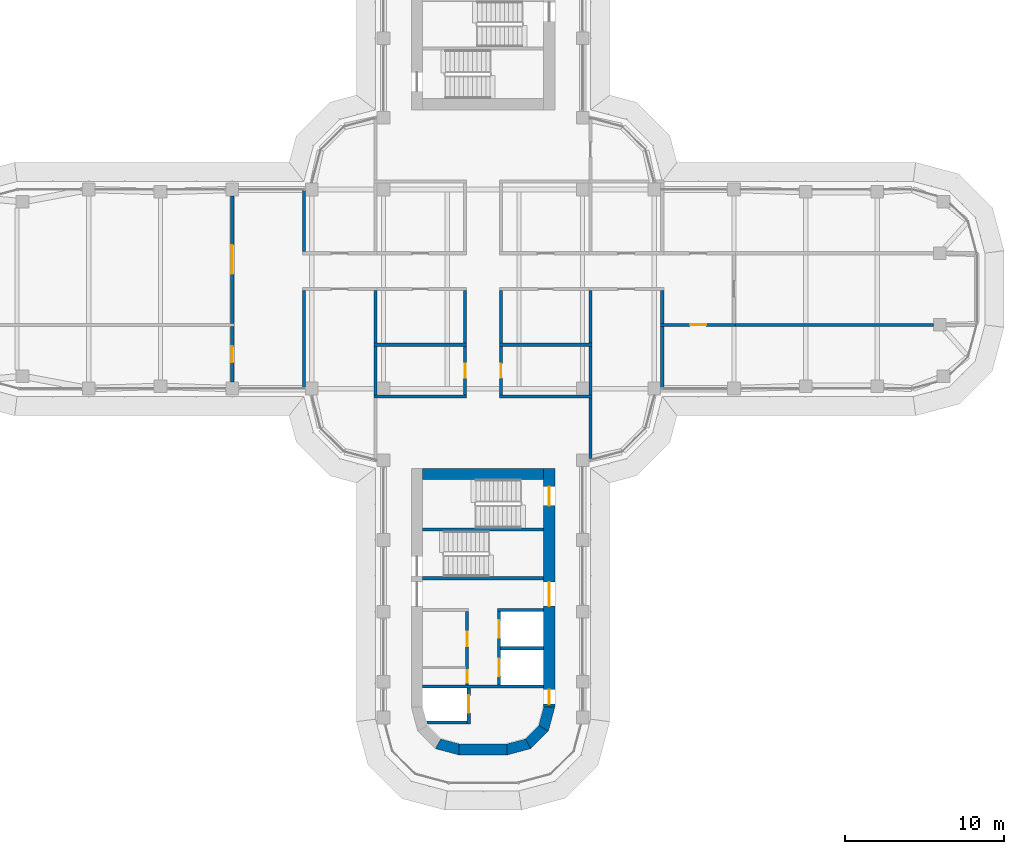
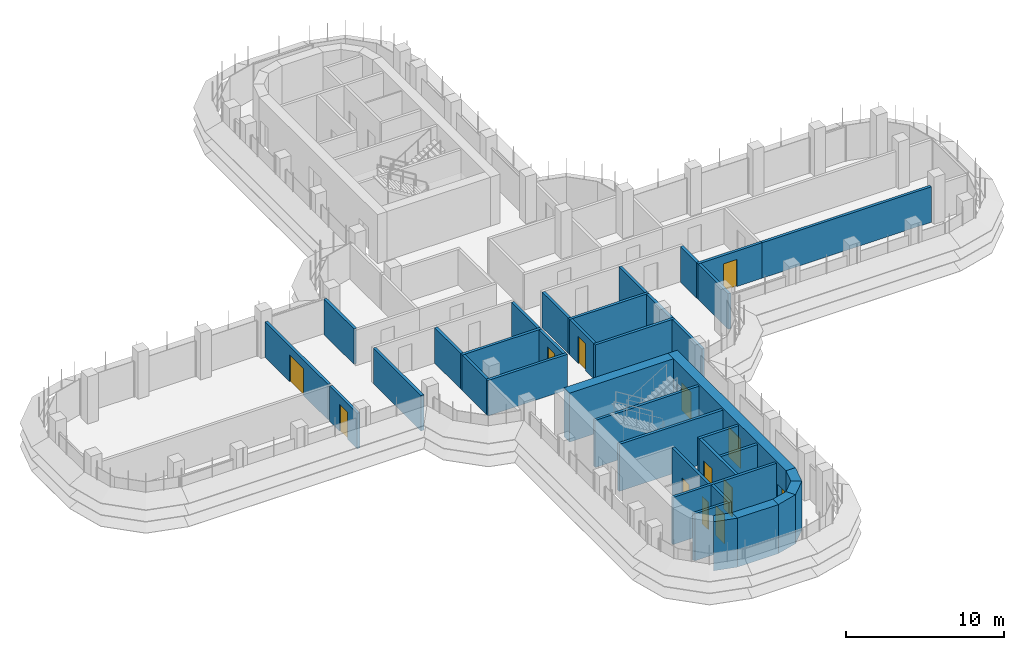
# One storey, part 13 of 19: 37 walls, 13 doors, 13 openings.
"""IFC4 building model written with IfcOpenShell, lengths in metres."""

from ifc_helpers import new_model, si_unit, direction, frame, frame_2d, origin, place, context, subcontext, project, spatial, polyline, rectangle, outline, extrude, material, layer, layer_set, type_object, element, fill, save


model = new_model("IFC4")

# Units and contexts
model_context = context("Model", 3, precision=1e-05, world=origin(), true_north=direction((0.0, 1.0)))
body_context = subcontext(model_context, "Body", "Model", "MODEL_VIEW")
ifc_project = project(units=[si_unit("LENGTHUNIT", "METRE"), si_unit("AREAUNIT", "SQUARE_METRE"), si_unit("VOLUMEUNIT", "CUBIC_METRE"), si_unit("PLANEANGLEUNIT", "RADIAN"), si_unit("MASSUNIT", "GRAM", prefix="KILO")], contexts=[model_context])

# Site, building, storey
site_placement = place(None, origin())
site = spatial("IfcSite", under=ifc_project, at=site_placement, CompositionType="ELEMENT")
building_placement = place(site_placement, origin())
building = spatial("IfcBuilding", under=site, at=building_placement, Name="Zarbagh Exchange Tower", CompositionType="ELEMENT")
storey_placement = place(building_placement, frame((0.0, 0.0, 179.0)))
storey = spatial("IfcBuildingStorey", under=building, at=storey_placement, Name="L43", CompositionType="ELEMENT", Elevation=179.0)

# Wall
ifc_material_1 = material(Name="Fire-rated plasterboard partition")
ifc_layer_1 = layer(ifc_material_1, 0.199951171875)
ifc_layer_set_1 = layer_set([ifc_layer_1], Name="RATED PARTITION 200")
wall_type_1 = type_object("IfcWallType", Name="RATED PARTITION 200", PredefinedType="PARTITIONING", material=ifc_layer_set_1)
wall_1_placement = place(storey_placement, frame((1.125, -3.39990234375, 0.0), z_axis=(0.0, 0.0, 1.0), x_axis=(0.0, 1.0, 0.0)))
element("IfcWall", 1, at=wall_1_placement, inside=storey, type_object=wall_type_1, Name="Partition W-1911", PredefinedType="PARTITIONING", context=body_context, shape_type="SweptSolid", body=[
    extrude(rectangle(XDim=3.2998046875, YDim=0.199951171875, at=frame_2d((1.64990234375, 0.0))), origin(), (0.0, 0.0, 1.0), 2.75),
])

# Wall, opening, door
wall_2_placement = place(storey_placement, frame((1.125, -3.60009765625, 0.0), z_axis=(0.0, 0.0, 1.0), x_axis=(0.0, -1.0, 0.0)))
wall_2 = element("IfcWall", 2, at=wall_2_placement, inside=storey, type_object=wall_type_1, Name="Partition W-1912", PredefinedType="PARTITIONING", context=body_context, shape_type="SweptSolid", body=[
    extrude(rectangle(XDim=3.0498046875, YDim=0.199951171875, at=frame_2d((1.52490234375, 0.0))), origin(), (0.0, 0.0, 1.0), 2.75),
])
opening_1_placement = place(wall_2_placement, frame((1.074951171875, 0.0, 0.0)))
opening_1 = element("IfcOpeningElement", 3, at=opening_1_placement, cuts=wall_2, Name="Opening D-1910", PredefinedType="OPENING", context=body_context, shape_type="SweptSolid", body=[
    extrude(rectangle(XDim=0.89990234375, YDim=2.10009765625, at=frame_2d((0.449951171875, 1.050048828125))), frame((0.0, 0.10986328125, 0.0), z_axis=(0.0, -1.0, 0.0), x_axis=(1.0, 0.0, 0.0)), (0.0, 0.0, 1.0), 0.219970703125),
])
ifc_material_2 = material(Name="Timber door leaf", Category="wood")
door_type_1 = type_object("IfcDoorType", Name="DOOR 900 X 2100", OperationType="NOTDEFINED", PredefinedType="DOOR", material=ifc_material_2)
door_1_placement = place(opening_1_placement, origin())
door_1 = element("IfcDoor", 4, at=door_1_placement, inside=storey, type_object=door_type_1, Name="Door D-1910", OperationType="SINGLE_SWING_LEFT", OverallHeight=2.10009765625, OverallWidth=0.89990234375, PredefinedType="DOOR", context=body_context, shape_type="SweptSolid", body=[
    extrude(rectangle(XDim=0.89990234375, YDim=2.10009765625, at=frame_2d((0.449951171875, 1.050048828125))), frame((0.0, 0.02490234375, 0.0), z_axis=(0.0, -1.0, 0.0), x_axis=(1.0, 0.0, 0.0)), (0.0, 0.0, 1.0), 0.050048828125),
])
fill(opening_1, door_1)

# Wall
wall_3_placement = place(storey_placement, frame((-1.125, -3.39990234375, 0.0), z_axis=(0.0, 0.0, 1.0), x_axis=(0.0, 1.0, 0.0)))
element("IfcWall", 5, at=wall_3_placement, inside=storey, type_object=wall_type_1, Name="Partition W-1913", PredefinedType="PARTITIONING", context=body_context, shape_type="SweptSolid", body=[
    extrude(rectangle(XDim=3.2998046875, YDim=0.199951171875, at=frame_2d((1.64990234375, 0.0))), origin(), (0.0, 0.0, 1.0), 2.75),
])

# Wall, opening, door
wall_4_placement = place(storey_placement, frame((-1.125, -6.64990234375, 0.0), z_axis=(0.0, 0.0, 1.0), x_axis=(0.0, 1.0, 0.0)))
wall_4 = element("IfcWall", 6, at=wall_4_placement, inside=storey, type_object=wall_type_1, Name="Partition W-1914", PredefinedType="PARTITIONING", context=body_context, shape_type="SweptSolid", body=[
    extrude(rectangle(XDim=3.0498046875, YDim=0.199951171875, at=frame_2d((1.52490234375, 0.0))), origin(), (0.0, 0.0, 1.0), 2.75),
])
opening_2_placement = place(wall_4_placement, frame((1.074951171875, 0.0, 0.0)))
opening_2 = element("IfcOpeningElement", 7, at=opening_2_placement, cuts=wall_4, Name="Opening D-1913", PredefinedType="OPENING", context=body_context, shape_type="SweptSolid", body=[
    extrude(rectangle(XDim=0.89990234375, YDim=2.10009765625, at=frame_2d((0.449951171875, 1.050048828125))), frame((0.0, 0.10986328125, 0.0), z_axis=(0.0, -1.0, 0.0), x_axis=(1.0, 0.0, 0.0)), (0.0, 0.0, 1.0), 0.219970703125),
])
door_2_placement = place(opening_2_placement, origin())
door_2 = element("IfcDoor", 8, at=door_2_placement, inside=storey, type_object=door_type_1, Name="Door D-1913", OperationType="SINGLE_SWING_RIGHT", OverallHeight=2.10009765625, OverallWidth=0.89990234375, PredefinedType="DOOR", context=body_context, shape_type="SweptSolid", body=[
    extrude(rectangle(XDim=0.89990234375, YDim=2.10009765625, at=frame_2d((0.449951171875, 1.050048828125))), frame((0.0, 0.02490234375, 0.0), z_axis=(0.0, -1.0, 0.0), x_axis=(1.0, 0.0, 0.0)), (0.0, 0.0, 1.0), 0.050048828125),
])
fill(opening_2, door_2)

# Walls
wall_5_placement = place(storey_placement, frame((1.02490234375, -6.75, 0.0), z_axis=(0.0, 0.0, 1.0), x_axis=(1.0, 0.0, 0.0)))
element("IfcWall", 9, at=wall_5_placement, inside=storey, type_object=wall_type_1, Name="Partition W-1919", PredefinedType="PARTITIONING", context=body_context, shape_type="SweptSolid", body=[
    extrude(rectangle(XDim=5.8251953125, YDim=0.199951171875, at=frame_2d((2.91259765625, 0.0))), origin(), (0.0, 0.0, 1.0), 2.75),
])
wall_6_placement = place(storey_placement, frame((6.75, -10.6298828125, 0.0), z_axis=(0.0, 0.0, 1.0), x_axis=(0.0, 1.0, 0.0)))
element("IfcWall", 10, at=wall_6_placement, inside=storey, type_object=wall_type_1, Name="Partition W-1920", PredefinedType="PARTITIONING", context=body_context, shape_type="SweptSolid", body=[
    extrude(rectangle(XDim=3.77978515625, YDim=0.199951171875, at=frame_2d((1.889892578125, 0.0))), origin(), (0.0, 0.0, 1.0), 2.75),
])
wall_7_placement = place(storey_placement, frame((-6.85009765625, -6.75, 0.0), z_axis=(0.0, 0.0, 1.0), x_axis=(1.0, 0.0, 0.0)))
element("IfcWall", 11, at=wall_7_placement, inside=storey, type_object=wall_type_1, Name="Partition W-1921", PredefinedType="PARTITIONING", context=body_context, shape_type="SweptSolid", body=[
    extrude(rectangle(XDim=5.8251953125, YDim=0.199951171875, at=frame_2d((2.91259765625, 0.0))), origin(), (0.0, 0.0, 1.0), 2.75),
])
wall_8_placement = place(storey_placement, frame((-11.25, 2.35009765625, 0.0), z_axis=(0.0, 0.0, 1.0), x_axis=(0.0, 1.0, 0.0)))
element("IfcWall", 12, at=wall_8_placement, inside=storey, type_object=wall_type_1, Name="Partition W-1927", PredefinedType="PARTITIONING", context=body_context, shape_type="SweptSolid", body=[
    extrude(rectangle(XDim=3.81982421875, YDim=0.199951171875, at=frame_2d((1.909912109375, 0.0))), origin(), (0.0, 0.0, 1.0), 2.75),
])
wall_9_placement = place(storey_placement, frame((1.02490234375, -3.5, 0.0), z_axis=(0.0, 0.0, 1.0), x_axis=(1.0, 0.0, 0.0)))
element("IfcWall", 13, at=wall_9_placement, inside=storey, type_object=wall_type_1, Name="Partition W-1928", PredefinedType="PARTITIONING", context=body_context, shape_type="SweptSolid", body=[
    extrude(rectangle(XDim=5.8251953125, YDim=0.199951171875, at=frame_2d((2.91259765625, 0.0))), origin(), (0.0, 0.0, 1.0), 2.75),
])
wall_10_placement = place(storey_placement, frame((6.75, -3.39990234375, 0.0), z_axis=(0.0, 0.0, 1.0), x_axis=(0.0, 1.0, 0.0)))
element("IfcWall", 14, at=wall_10_placement, inside=storey, type_object=wall_type_1, Name="Partition W-1929", PredefinedType="PARTITIONING", context=body_context, shape_type="SweptSolid", body=[
    extrude(rectangle(XDim=3.2998046875, YDim=0.199951171875, at=frame_2d((1.64990234375, 0.0))), origin(), (0.0, 0.0, 1.0), 2.75),
])
wall_11_placement = place(storey_placement, frame((6.75, -6.64990234375, 0.0), z_axis=(0.0, 0.0, 1.0), x_axis=(0.0, 1.0, 0.0)))
element("IfcWall", 15, at=wall_11_placement, inside=storey, type_object=wall_type_1, Name="Partition W-1930", PredefinedType="PARTITIONING", context=body_context, shape_type="SweptSolid", body=[
    extrude(rectangle(XDim=3.0498046875, YDim=0.199951171875, at=frame_2d((1.52490234375, 0.0))), origin(), (0.0, 0.0, 1.0), 2.75),
])
wall_12_placement = place(storey_placement, frame((11.25, -2.14990234375, 0.0), z_axis=(0.0, 0.0, 1.0), x_axis=(0.0, 1.0, 0.0)))
element("IfcWall", 16, at=wall_12_placement, inside=storey, type_object=wall_type_1, Name="Partition W-1931", PredefinedType="PARTITIONING", context=body_context, shape_type="SweptSolid", body=[
    extrude(rectangle(XDim=2.0498046875, YDim=0.199951171875, at=frame_2d((1.02490234375, 0.0))), origin(), (0.0, 0.0, 1.0), 2.75),
])
wall_13_placement = place(storey_placement, frame((11.25, -6.169921875, 0.0), z_axis=(0.0, 0.0, 1.0), x_axis=(0.0, 1.0, 0.0)))
element("IfcWall", 17, at=wall_13_placement, inside=storey, type_object=wall_type_1, Name="Partition W-1932", PredefinedType="PARTITIONING", context=body_context, shape_type="SweptSolid", body=[
    extrude(rectangle(XDim=3.81982421875, YDim=0.199951171875, at=frame_2d((1.909912109375, 0.0))), origin(), (0.0, 0.0, 1.0), 2.75),
])
wall_14_placement = place(storey_placement, frame((-6.85009765625, -3.5, 0.0), z_axis=(0.0, 0.0, 1.0), x_axis=(1.0, 0.0, 0.0)))
element("IfcWall", 18, at=wall_14_placement, inside=storey, type_object=wall_type_1, Name="Partition W-1933", PredefinedType="PARTITIONING", context=body_context, shape_type="SweptSolid", body=[
    extrude(rectangle(XDim=5.8251953125, YDim=0.199951171875, at=frame_2d((2.91259765625, 0.0))), origin(), (0.0, 0.0, 1.0), 2.75),
])
wall_15_placement = place(storey_placement, frame((-6.75, -3.39990234375, 0.0), z_axis=(0.0, 0.0, 1.0), x_axis=(0.0, 1.0, 0.0)))
element("IfcWall", 19, at=wall_15_placement, inside=storey, type_object=wall_type_1, Name="Partition W-1934", PredefinedType="PARTITIONING", context=body_context, shape_type="SweptSolid", body=[
    extrude(rectangle(XDim=3.2998046875, YDim=0.199951171875, at=frame_2d((1.64990234375, 0.0))), origin(), (0.0, 0.0, 1.0), 2.75),
])
wall_16_placement = place(storey_placement, frame((-6.75, -6.64990234375, 0.0), z_axis=(0.0, 0.0, 1.0), x_axis=(0.0, 1.0, 0.0)))
element("IfcWall", 20, at=wall_16_placement, inside=storey, type_object=wall_type_1, Name="Partition W-1935", PredefinedType="PARTITIONING", context=body_context, shape_type="SweptSolid", body=[
    extrude(rectangle(XDim=3.0498046875, YDim=0.199951171875, at=frame_2d((1.52490234375, 0.0))), origin(), (0.0, 0.0, 1.0), 2.75),
])
wall_17_placement = place(storey_placement, frame((-11.25, -6.169921875, 0.0), z_axis=(0.0, 0.0, 1.0), x_axis=(0.0, 1.0, 0.0)))
element("IfcWall", 21, at=wall_17_placement, inside=storey, type_object=wall_type_1, Name="Partition W-1936", PredefinedType="PARTITIONING", context=body_context, shape_type="SweptSolid", body=[
    extrude(rectangle(XDim=6.06982421875, YDim=0.199951171875, at=frame_2d((3.034912109375, 0.0))), origin(), (0.0, 0.0, 1.0), 2.75),
])

# Wall, opening, door
wall_18_placement = place(storey_placement, frame((15.85009765625, -2.25, 0.0), z_axis=(0.0, 0.0, 1.0), x_axis=(-1.0, 0.0, 0.0)))
wall_18 = element("IfcWall", 22, at=wall_18_placement, inside=storey, type_object=wall_type_1, Name="Partition W-1938", PredefinedType="PARTITIONING", context=body_context, shape_type="SweptSolid", body=[
    extrude(rectangle(XDim=4.7001953125, YDim=0.199951171875, at=frame_2d((2.35009765625, 0.0))), origin(), (0.0, 0.0, 1.0), 2.75),
])
opening_3_placement = place(wall_18_placement, frame((1.85009765625, 0.0, 0.0)))
opening_3 = element("IfcOpeningElement", 23, at=opening_3_placement, cuts=wall_18, Name="Opening D-1903", PredefinedType="OPENING", context=body_context, shape_type="SweptSolid", body=[
    extrude(rectangle(XDim=1.0, YDim=2.10009765625, at=frame_2d((0.5, 1.050048828125))), frame((0.0, 0.10986328125, 0.0), z_axis=(0.0, -1.0, 0.0), x_axis=(1.0, 0.0, 0.0)), (0.0, 0.0, 1.0), 0.219970703125),
])
ifc_material_3 = material(Name="Steel door set", Category="steel")
door_type_2 = type_object("IfcDoorType", Name="FIRE DOOR 1000 X 2100 FD30S", OperationType="NOTDEFINED", PredefinedType="DOOR", material=ifc_material_3)
door_3_placement = place(opening_3_placement, origin())
door_3 = element("IfcDoor", 24, at=door_3_placement, inside=storey, type_object=door_type_2, Name="Door D-1903", OperationType="SINGLE_SWING_RIGHT", OverallHeight=2.10009765625, OverallWidth=1.0, PredefinedType="DOOR", context=body_context, shape_type="SweptSolid", body=[
    extrude(rectangle(XDim=1.0, YDim=2.10009765625, at=frame_2d((0.5, 1.050048828125))), frame((0.0, 0.02490234375, 0.0), z_axis=(0.0, -1.0, 0.0), x_axis=(1.0, 0.0, 0.0)), (0.0, 0.0, 1.0), 0.050048828125),
])
fill(opening_3, door_3)

# Wall
wall_19_placement = place(storey_placement, frame((15.64990234375, -2.25, 0.0), z_axis=(0.0, 0.0, 1.0), x_axis=(1.0, 0.0, 0.0)))
element("IfcWall", 25, at=wall_19_placement, inside=storey, type_object=wall_type_1, Name="Partition W-1942", PredefinedType="PARTITIONING", context=body_context, shape_type="SweptSolid", body=[
    extrude(rectangle(XDim=12.6201171875, YDim=0.199951171875, at=frame_2d((6.31005859375, 0.0))), origin(), (0.0, 0.0, 1.0), 2.75),
])

# Wall, opening, door
wall_20_placement = place(storey_placement, frame((-15.75, -5.85009765625, 0.0), z_axis=(0.0, 0.0, 1.0), x_axis=(0.0, 1.0, 0.0)))
wall_20 = element("IfcWall", 26, at=wall_20_placement, inside=storey, type_object=wall_type_1, Name="Partition W-1944", PredefinedType="PARTITIONING", context=body_context, shape_type="SweptSolid", body=[
    extrude(rectangle(XDim=3.5, YDim=0.199951171875, at=frame_2d((1.75, 0.0))), origin(), (0.0, 0.0, 1.0), 2.75),
])
opening_4_placement = place(wall_20_placement, frame((1.25, 0.0, 0.0)))
opening_4 = element("IfcOpeningElement", 27, at=opening_4_placement, cuts=wall_20, Name="Opening D-1915", PredefinedType="OPENING", context=body_context, shape_type="SweptSolid", body=[
    extrude(rectangle(XDim=1.0, YDim=2.10009765625, at=frame_2d((0.5, 1.050048828125))), frame((0.0, 0.10986328125, 0.0), z_axis=(0.0, -1.0, 0.0), x_axis=(1.0, 0.0, 0.0)), (0.0, 0.0, 1.0), 0.219970703125),
])
door_4_placement = place(opening_4_placement, origin())
door_4 = element("IfcDoor", 28, at=door_4_placement, inside=storey, type_object=door_type_2, Name="Door D-1915", OperationType="SINGLE_SWING_RIGHT", OverallHeight=2.10009765625, OverallWidth=1.0, PredefinedType="DOOR", context=body_context, shape_type="SweptSolid", body=[
    extrude(rectangle(XDim=1.0, YDim=2.10009765625, at=frame_2d((0.5, 1.050048828125))), frame((0.0, 0.02490234375, 0.0), z_axis=(0.0, -1.0, 0.0), x_axis=(1.0, 0.0, 0.0)), (0.0, 0.0, 1.0), 0.050048828125),
])
fill(opening_4, door_4)

wall_21_placement = place(storey_placement, frame((-15.75, 5.85009765625, 0.0), z_axis=(0.0, 0.0, 1.0), x_axis=(0.0, -1.0, 0.0)))
wall_21 = element("IfcWall", 29, at=wall_21_placement, inside=storey, type_object=wall_type_1, Name="Partition W-1945", PredefinedType="PARTITIONING", context=body_context, shape_type="SweptSolid", body=[
    extrude(rectangle(XDim=8.0, YDim=0.199951171875, at=frame_2d((4.0, 0.0))), origin(), (0.0, 0.0, 1.0), 2.75),
])
opening_5_placement = place(wall_21_placement, frame((3.10009765625, 0.0, 0.0)))
opening_5 = element("IfcOpeningElement", 30, at=opening_5_placement, cuts=wall_21, Name="Opening D-1916", PredefinedType="OPENING", context=body_context, shape_type="SweptSolid", body=[
    extrude(rectangle(XDim=1.800048828125, YDim=2.10009765625, at=frame_2d((0.89990234375, 1.050048828125))), frame((0.0, 0.10986328125, 0.0), z_axis=(0.0, -1.0, 0.0), x_axis=(1.0, 0.0, 0.0)), (0.0, 0.0, 1.0), 0.219970703125),
])
door_type_3 = type_object("IfcDoorType", Name="FIRE DOUBLE DOOR 1800 X 2100 FD30S", OperationType="DOUBLE_DOOR_SINGLE_SWING", PredefinedType="DOOR", material=ifc_material_3)
door_5_placement = place(opening_5_placement, origin())
door_5 = element("IfcDoor", 31, at=door_5_placement, inside=storey, type_object=door_type_3, Name="Door D-1916", OperationType="DOUBLE_DOOR_SINGLE_SWING", OverallHeight=2.10009765625, OverallWidth=1.800048828125, PredefinedType="DOOR", context=body_context, shape_type="SweptSolid", body=[
    extrude(rectangle(XDim=1.800048828125, YDim=2.10009765625, at=frame_2d((0.89990234375, 1.050048828125))), frame((0.0, 0.02490234375, 0.0), z_axis=(0.0, -1.0, 0.0), x_axis=(1.0, 0.0, 0.0)), (0.0, 0.0, 1.0), 0.050048828125),
])
fill(opening_5, door_5)

# Walls
ifc_material_4 = material(Name="Concrete C50/60", Category="concrete")
ifc_layer_2 = layer(ifc_material_4, 0.699951171875)
ifc_layer_set_2 = layer_set([ifc_layer_2], Name="RC core corner wall 700 C50/60")
wall_type_2 = type_object("IfcWallType", Name="RC core corner wall 700 C50/60", PredefinedType="SHEAR", material=ifc_layer_set_2)
wall_22_placement = place(storey_placement, origin())
element("IfcWall", 32, at=wall_22_placement, inside=storey, type_object=wall_type_2, Name="CW6 core S corner W", PredefinedType="SHEAR", context=body_context, shape_type="SweptSolid", body=[
    extrude(outline(polyline([(-3.0, -28.84814453125), (-1.5, -29.25), (-1.5, -28.550048828125), (-2.64990234375, -28.241943359375), (-3.0, -28.84814453125)])), origin(), (0.0, 0.0, 1.0), 3.800048828125),
])
wall_23_placement = place(storey_placement, origin())
element("IfcWall", 33, at=wall_23_placement, inside=storey, type_object=wall_type_2, Name="CW6 core S corner E", PredefinedType="SHEAR", context=body_context, shape_type="SweptSolid", body=[
    extrude(outline(polyline([(4.5, -26.25), (4.09814453125, -27.75), (3.491943359375, -27.39990234375), (3.800048828125, -26.25), (4.5, -26.25)])), origin(), (0.0, 0.0, 1.0), 3.800048828125),
])
wall_24_placement = place(storey_placement, origin())
element("IfcWall", 34, at=wall_24_placement, inside=storey, type_object=wall_type_2, Name="CW6 core S corner E", PredefinedType="SHEAR", context=body_context, shape_type="SweptSolid", body=[
    extrude(outline(polyline([(4.09814453125, -27.75), (3.0, -28.84814453125), (2.64990234375, -28.241943359375), (3.491943359375, -27.39990234375), (4.09814453125, -27.75)])), origin(), (0.0, 0.0, 1.0), 3.800048828125),
])
wall_25_placement = place(storey_placement, origin())
element("IfcWall", 35, at=wall_25_placement, inside=storey, type_object=wall_type_2, Name="CW6 core S corner E", PredefinedType="SHEAR", context=body_context, shape_type="SweptSolid", body=[
    extrude(outline(polyline([(3.0, -28.84814453125), (1.5, -29.25), (1.5, -28.550048828125), (2.64990234375, -28.241943359375), (3.0, -28.84814453125)])), origin(), (0.0, 0.0, 1.0), 3.800048828125),
])

# Wall, openings, doors
ifc_layer_3 = layer(ifc_material_4, 0.699951171875)
ifc_layer_set_3 = layer_set([ifc_layer_3], Name="RC core wall 700 C50/60")
wall_type_3 = type_object("IfcWallType", Name="RC core wall 700 C50/60", PredefinedType="SHEAR", material=ifc_layer_set_3)
wall_26_placement = place(storey_placement, frame((4.14990234375, -11.25, 0.0), z_axis=(0.0, 0.0, 1.0), x_axis=(0.0, -1.0, 0.0)))
wall_26 = element("IfcWall", 36, at=wall_26_placement, inside=storey, type_object=wall_type_3, Name="CW5 core S E", PredefinedType="SHEAR", context=body_context, shape_type="SweptSolid", body=[
    extrude(rectangle(XDim=15.0, YDim=0.699951171875, at=frame_2d((7.5, 0.0))), origin(), (0.0, 0.0, 1.0), 3.800048828125),
])
opening_6_placement = place(wall_26_placement, frame((7.14990234375, 0.0, 0.0)))
opening_6 = element("IfcOpeningElement", 37, at=opening_6_placement, cuts=wall_26, Name="Opening CD1-1500", PredefinedType="OPENING", context=body_context, shape_type="SweptSolid", body=[
    extrude(rectangle(XDim=1.5, YDim=2.300048828125, at=frame_2d((0.75, 1.14990234375))), frame((0.0, 0.35986328125, 0.0), z_axis=(0.0, -1.0, 0.0), x_axis=(1.0, 0.0, 0.0)), (0.0, 0.0, 1.0), 0.719970703125),
])
opening_7_placement = place(wall_26_placement, frame((13.89990234375, 0.0, 0.0)))
opening_7 = element("IfcOpeningElement", 38, at=opening_7_placement, cuts=wall_26, Name="Opening CD2-900", PredefinedType="OPENING", context=body_context, shape_type="SweptSolid", body=[
    extrude(rectangle(XDim=0.89990234375, YDim=2.10009765625, at=frame_2d((0.449951171875, 1.050048828125))), frame((0.0, 0.35986328125, 0.0), z_axis=(0.0, -1.0, 0.0), x_axis=(1.0, 0.0, 0.0)), (0.0, 0.0, 1.0), 0.719970703125),
])
opening_8_placement = place(wall_26_placement, frame((1.14990234375, 0.0, 0.0)))
opening_8 = element("IfcOpeningElement", 39, at=opening_8_placement, cuts=wall_26, Name="Opening SD1-1200", PredefinedType="OPENING", context=body_context, shape_type="SweptSolid", body=[
    extrude(rectangle(XDim=1.199951171875, YDim=2.10009765625, at=frame_2d((0.60009765625, 1.050048828125))), frame((0.0, 0.35986328125, 0.0), z_axis=(0.0, -1.0, 0.0), x_axis=(1.0, 0.0, 0.0)), (0.0, 0.0, 1.0), 0.719970703125),
])
ifc_material_5 = material(Name="Steel", Category="steel")
door_type_4 = type_object("IfcDoorType", Name="Exit stair door 1200 x 2100", OperationType="NOTDEFINED", PredefinedType="DOOR", material=ifc_material_5)
door_6_placement = place(opening_8_placement, origin())
door_6 = element("IfcDoor", 40, at=door_6_placement, inside=storey, type_object=door_type_4, Name="South core stair door ST2", OperationType="SINGLE_SWING_LEFT", OverallHeight=2.10009765625, OverallWidth=1.199951171875, PredefinedType="DOOR", context=body_context, shape_type="SweptSolid", body=[
    extrude(rectangle(XDim=1.199951171875, YDim=2.10009765625, at=frame_2d((0.60009765625, 1.050048828125))), frame((0.0, 0.02490234375, 0.0), z_axis=(0.0, -1.0, 0.0), x_axis=(1.0, 0.0, 0.0)), (0.0, 0.0, 1.0), 0.050048828125),
])
fill(opening_8, door_6)
door_type_5 = type_object("IfcDoorType", Name="Firefighting lobby door 900 x 2100", OperationType="NOTDEFINED", PredefinedType="DOOR", material=ifc_material_5)
door_7_placement = place(opening_7_placement, origin())
door_7 = element("IfcDoor", 41, at=door_7_placement, inside=storey, type_object=door_type_5, Name="South core firefighting lobby door FF-W", OperationType="SINGLE_SWING_RIGHT", OverallHeight=2.10009765625, OverallWidth=0.89990234375, PredefinedType="DOOR", context=body_context, shape_type="SweptSolid", body=[
    extrude(rectangle(XDim=0.89990234375, YDim=2.10009765625, at=frame_2d((0.449951171875, 1.050048828125))), frame((0.0, 0.02490234375, 0.0), z_axis=(0.0, -1.0, 0.0), x_axis=(1.0, 0.0, 0.0)), (0.0, 0.0, 1.0), 0.050048828125),
])
fill(opening_7, door_7)
door_type_6 = type_object("IfcDoorType", Name="Lift lobby double door 1500 x 2300", OperationType="NOTDEFINED", PredefinedType="DOOR", material=ifc_material_5)
door_8_placement = place(opening_6_placement, origin())
door_8 = element("IfcDoor", 42, at=door_8_placement, inside=storey, type_object=door_type_6, Name="South core lift lobby door LOBBY-W", OperationType="DOUBLE_DOOR_SINGLE_SWING", OverallHeight=2.300048828125, OverallWidth=1.5, PredefinedType="DOOR", context=body_context, shape_type="SweptSolid", body=[
    extrude(rectangle(XDim=1.5, YDim=2.300048828125, at=frame_2d((0.75, 1.14990234375))), frame((0.0, 0.02490234375, 0.0), z_axis=(0.0, -1.0, 0.0), x_axis=(1.0, 0.0, 0.0)), (0.0, 0.0, 1.0), 0.050048828125),
])
fill(opening_6, door_8)

# Walls
wall_27_placement = place(storey_placement, frame((-3.800048828125, -11.60009765625, 0.0), z_axis=(0.0, 0.0, 1.0), x_axis=(1.0, 0.0, 0.0)))
element("IfcWall", 43, at=wall_27_placement, inside=storey, type_object=wall_type_3, Name="CW5 core S inner end", PredefinedType="SHEAR", context=body_context, shape_type="SweptSolid", body=[
    extrude(rectangle(XDim=7.60009765625, YDim=0.699951171875, at=frame_2d((3.800048828125, 0.0))), origin(), (0.0, 0.0, 1.0), 3.800048828125),
])
wall_28_placement = place(storey_placement, frame((-1.5, -28.89990234375, 0.0), z_axis=(0.0, 0.0, 1.0), x_axis=(1.0, 0.0, 0.0)))
element("IfcWall", 44, at=wall_28_placement, inside=storey, type_object=wall_type_3, Name="CW5 core S outer end", PredefinedType="SHEAR", context=body_context, shape_type="SweptSolid", body=[
    extrude(rectangle(XDim=3.0, YDim=0.699951171875, at=frame_2d((1.5, 0.0))), origin(), (0.0, 0.0, 1.0), 3.800048828125),
])
ifc_material_6 = material(Name="Dense blockwork", Category="masonry")
ifc_layer_4 = layer(ifc_material_6, 0.199951171875)
ifc_layer_set_4 = layer_set([ifc_layer_4], Name="Shaft wall 200 mm blockwork")
wall_type_4 = type_object("IfcWallType", Name="Shaft wall 200 mm blockwork", PredefinedType="PARTITIONING", material=ifc_layer_set_4)
wall_29_placement = place(storey_placement, frame((3.800048828125, -20.14990234375, 0.0), z_axis=(0.0, 0.0, 1.0), x_axis=(-1.0, 0.0, 0.0)))
element("IfcWall", 45, at=wall_29_placement, inside=storey, type_object=wall_type_4, Name="South core shaft wall AB-W", PredefinedType="PARTITIONING", context=body_context, shape_type="SweptSolid", body=[
    extrude(rectangle(XDim=2.900146484375, YDim=0.199951171875, at=frame_2d((1.4501953125, 0.0))), origin(), (0.0, 0.0, 1.0), 3.64990234375),
])

# Wall, openings, doors
wall_30_placement = place(storey_placement, frame((1.0, -24.85009765625, 0.0), z_axis=(0.0, 0.0, 1.0), x_axis=(0.0, 1.0, 0.0)))
wall_30 = element("IfcWall", 46, at=wall_30_placement, inside=storey, type_object=wall_type_4, Name="South core shaft wall LW-W", PredefinedType="PARTITIONING", context=body_context, shape_type="SweptSolid", body=[
    extrude(rectangle(XDim=4.60009765625, YDim=0.199951171875, at=frame_2d((2.300048828125, 0.0))), origin(), (0.0, 0.0, 1.0), 3.64990234375),
])
opening_9_placement = place(wall_30_placement, frame((0.550048828125, 0.0, 0.0)))
opening_9 = element("IfcOpeningElement", 47, at=opening_9_placement, cuts=wall_30, Name="Opening LD-1100", PredefinedType="OPENING", context=body_context, shape_type="SweptSolid", body=[
    extrude(rectangle(XDim=1.10009765625, YDim=2.300048828125, at=frame_2d((0.550048828125, 1.14990234375))), frame((0.0, 0.10986328125, 0.0), z_axis=(0.0, -1.0, 0.0), x_axis=(1.0, 0.0, 0.0)), (0.0, 0.0, 1.0), 0.219970703125),
])
opening_10_placement = place(wall_30_placement, frame((2.949951171875, 0.0, 0.0)))
opening_10 = element("IfcOpeningElement", 48, at=opening_10_placement, cuts=wall_30, Name="Opening LD-1100", PredefinedType="OPENING", context=body_context, shape_type="SweptSolid", body=[
    extrude(rectangle(XDim=1.10009765625, YDim=2.300048828125, at=frame_2d((0.550048828125, 1.14990234375))), frame((0.0, 0.10986328125, 0.0), z_axis=(0.0, -1.0, 0.0), x_axis=(1.0, 0.0, 0.0)), (0.0, 0.0, 1.0), 0.219970703125),
])
ifc_material_7 = material(Name="Stainless steel", Category="steel")
door_type_7 = type_object("IfcDoorType", Name="Lift landing door 1100 x 2300", OperationType="NOTDEFINED", PredefinedType="DOOR", material=ifc_material_7)
door_9_placement = place(opening_9_placement, origin())
door_9 = element("IfcDoor", 49, at=door_9_placement, inside=storey, type_object=door_type_7, Name="South core lift landing door LD-P-S1", OperationType="DOUBLE_DOOR_SLIDING", OverallHeight=2.300048828125, OverallWidth=1.10009765625, PredefinedType="DOOR", context=body_context, shape_type="SweptSolid", body=[
    extrude(rectangle(XDim=1.10009765625, YDim=2.300048828125, at=frame_2d((0.550048828125, 1.14990234375))), frame((0.0, 0.02490234375, 0.0), z_axis=(0.0, -1.0, 0.0), x_axis=(1.0, 0.0, 0.0)), (0.0, 0.0, 1.0), 0.050048828125),
])
fill(opening_9, door_9)
door_10_placement = place(opening_10_placement, origin())
door_10 = element("IfcDoor", 50, at=door_10_placement, inside=storey, type_object=door_type_7, Name="South core lift landing door LD-P-S2", OperationType="DOUBLE_DOOR_SLIDING", OverallHeight=2.300048828125, OverallWidth=1.10009765625, PredefinedType="DOOR", context=body_context, shape_type="SweptSolid", body=[
    extrude(rectangle(XDim=1.10009765625, YDim=2.300048828125, at=frame_2d((0.550048828125, 1.14990234375))), frame((0.0, 0.02490234375, 0.0), z_axis=(0.0, -1.0, 0.0), x_axis=(1.0, 0.0, 0.0)), (0.0, 0.0, 1.0), 0.050048828125),
])
fill(opening_10, door_10)

wall_31_placement = place(storey_placement, frame((-1.0, -24.85009765625, 0.0), z_axis=(0.0, 0.0, 1.0), x_axis=(0.0, 1.0, 0.0)))
wall_31 = element("IfcWall", 51, at=wall_31_placement, inside=storey, type_object=wall_type_4, Name="South core shaft wall LW-E", PredefinedType="PARTITIONING", context=body_context, shape_type="SweptSolid", body=[
    extrude(rectangle(XDim=4.60009765625, YDim=0.199951171875, at=frame_2d((2.300048828125, 0.0))), origin(), (0.0, 0.0, 1.0), 3.64990234375),
])
opening_11_placement = place(wall_31_placement, frame((0.125, 0.0, 0.0)))
opening_11 = element("IfcOpeningElement", 52, at=opening_11_placement, cuts=wall_31, Name="Opening CD3-800", PredefinedType="OPENING", context=body_context, shape_type="SweptSolid", body=[
    extrude(rectangle(XDim=0.800048828125, YDim=2.10009765625, at=frame_2d((0.39990234375, 1.050048828125))), frame((0.0, 0.10986328125, 0.0), z_axis=(0.0, -1.0, 0.0), x_axis=(1.0, 0.0, 0.0)), (0.0, 0.0, 1.0), 0.219970703125),
])
opening_12_placement = place(wall_31_placement, frame((2.425048828125, 0.0, 0.0)))
opening_12 = element("IfcOpeningElement", 53, at=opening_12_placement, cuts=wall_31, Name="Opening CD3-900", PredefinedType="OPENING", context=body_context, shape_type="SweptSolid", body=[
    extrude(rectangle(XDim=0.89990234375, YDim=2.10009765625, at=frame_2d((0.449951171875, 1.050048828125))), frame((0.0, 0.10986328125, 0.0), z_axis=(0.0, -1.0, 0.0), x_axis=(1.0, 0.0, 0.0)), (0.0, 0.0, 1.0), 0.219970703125),
])
door_type_8 = type_object("IfcDoorType", Name="Core room door 800 x 2100", OperationType="NOTDEFINED", PredefinedType="DOOR", material=ifc_material_5)
door_11_placement = place(opening_11_placement, origin())
door_11 = element("IfcDoor", 54, at=door_11_placement, inside=storey, type_object=door_type_8, Name="South core Store door RD-E-0", OperationType="SINGLE_SWING_RIGHT", OverallHeight=2.10009765625, OverallWidth=0.800048828125, PredefinedType="DOOR", context=body_context, shape_type="SweptSolid", body=[
    extrude(rectangle(XDim=0.800048828125, YDim=2.10009765625, at=frame_2d((0.39990234375, 1.050048828125))), frame((0.0, 0.02490234375, 0.0), z_axis=(0.0, -1.0, 0.0), x_axis=(1.0, 0.0, 0.0)), (0.0, 0.0, 1.0), 0.050048828125),
])
fill(opening_11, door_11)
door_type_9 = type_object("IfcDoorType", Name="Core room door 900 x 2100", OperationType="NOTDEFINED", PredefinedType="DOOR", material=ifc_material_5)
door_12_placement = place(opening_12_placement, origin())
door_12 = element("IfcDoor", 55, at=door_12_placement, inside=storey, type_object=door_type_9, Name="South core Accessible WC door RD-E-1", OperationType="SINGLE_SWING_RIGHT", OverallHeight=2.10009765625, OverallWidth=0.89990234375, PredefinedType="DOOR", context=body_context, shape_type="SweptSolid", body=[
    extrude(rectangle(XDim=0.89990234375, YDim=2.10009765625, at=frame_2d((0.449951171875, 1.050048828125))), frame((0.0, 0.02490234375, 0.0), z_axis=(0.0, -1.0, 0.0), x_axis=(1.0, 0.0, 0.0)), (0.0, 0.0, 1.0), 0.050048828125),
])
fill(opening_12, door_12)

# Walls
wall_32_placement = place(storey_placement, frame((3.800048828125, -22.550048828125, 0.0), z_axis=(0.0, 0.0, 1.0), x_axis=(-1.0, 0.0, 0.0)))
element("IfcWall", 56, at=wall_32_placement, inside=storey, type_object=wall_type_4, Name="South core shaft wall TR-W", PredefinedType="PARTITIONING", context=body_context, shape_type="SweptSolid", body=[
    extrude(rectangle(XDim=2.699951171875, YDim=0.199951171875, at=frame_2d((1.35009765625, 0.0))), origin(), (0.0, 0.0, 1.0), 3.64990234375),
])
ifc_material_8 = material(Name="Concrete C40/50", Category="concrete")
ifc_layer_5 = layer(ifc_material_8, 0.199951171875)
ifc_layer_set_5 = layer_set([ifc_layer_5], Name="Stair enclosure wall 200 mm RC C40/50")
wall_type_5 = type_object("IfcWallType", Name="Stair enclosure wall 200 mm RC C40/50", PredefinedType="SHEAR", material=ifc_layer_set_5)
wall_33_placement = place(storey_placement, frame((3.800048828125, -24.949951171875, 0.0), z_axis=(0.0, 0.0, 1.0), x_axis=(-1.0, 0.0, 0.0)))
element("IfcWall", 57, at=wall_33_placement, inside=storey, type_object=wall_type_5, Name="South core lift shaft wall FFA", PredefinedType="SHEAR", context=body_context, shape_type="SweptSolid", body=[
    extrude(rectangle(XDim=7.60009765625, YDim=0.199951171875, at=frame_2d((3.800048828125, 0.0))), origin(), (0.0, 0.0, 1.0), 3.64990234375),
])

# Wall, opening, door
wall_34_placement = place(storey_placement, frame((-0.89990234375, -27.300048828125, 0.0), z_axis=(0.0, 0.0, 1.0), x_axis=(0.0, 1.0, 0.0)))
wall_34 = element("IfcWall", 58, at=wall_34_placement, inside=storey, type_object=wall_type_5, Name="South core lift shaft wall FFL", PredefinedType="SHEAR", context=body_context, shape_type="SweptSolid", body=[
    extrude(rectangle(XDim=2.25, YDim=0.199951171875, at=frame_2d((1.125, 0.0))), origin(), (0.0, 0.0, 1.0), 3.64990234375),
])
opening_13_placement = place(wall_34_placement, frame((0.699951171875, 0.0, 0.0)))
opening_13 = element("IfcOpeningElement", 59, at=opening_13_placement, cuts=wall_34, Name="Opening LD-1100", PredefinedType="OPENING", context=body_context, shape_type="SweptSolid", body=[
    extrude(rectangle(XDim=1.10009765625, YDim=2.300048828125, at=frame_2d((0.550048828125, 1.14990234375))), frame((0.0, 0.10986328125, 0.0), z_axis=(0.0, -1.0, 0.0), x_axis=(1.0, 0.0, 0.0)), (0.0, 0.0, 1.0), 0.219970703125),
])
door_13_placement = place(opening_13_placement, origin())
door_13 = element("IfcDoor", 60, at=door_13_placement, inside=storey, type_object=door_type_7, Name="South core lift landing door LD-F", OperationType="DOUBLE_DOOR_SLIDING", OverallHeight=2.300048828125, OverallWidth=1.10009765625, PredefinedType="DOOR", context=body_context, shape_type="SweptSolid", body=[
    extrude(rectangle(XDim=1.10009765625, YDim=2.300048828125, at=frame_2d((0.550048828125, 1.14990234375))), frame((0.0, 0.02490234375, 0.0), z_axis=(0.0, -1.0, 0.0), x_axis=(1.0, 0.0, 0.0)), (0.0, 0.0, 1.0), 0.050048828125),
])
fill(opening_13, door_13)

# Walls
wall_35_placement = place(storey_placement, origin())
element("IfcWall", 61, at=wall_35_placement, inside=storey, type_object=wall_type_5, Name="South core lift shaft wall FFX", PredefinedType="SHEAR", context=body_context, shape_type="SweptSolid", body=[
    extrude(outline(polyline([(-1.0, -27.10009765625), (-3.547607421875, -27.10009765625), (-3.493896484375, -27.300048828125), (-1.0, -27.300048828125), (-1.0, -27.10009765625)])), origin(), (0.0, 0.0, 1.0), 3.64990234375),
])
for number, where, z_axis, x_axis, name in (
    (62, (3.800048828125, -18.14990234375, 0.0), (0.0, 0.0, 1.0), (-1.0, 0.0, 0.0), "South core stair wall BS"),
    (63, (3.800048828125, -15.10009765625, 0.0), (0.0, 0.0, 1.0), (-1.0, 0.0, 0.0), "South core stair wall ST12"),
):
    element("IfcWall", number, at=place(storey_placement, frame(where, z_axis=z_axis, x_axis=x_axis)), inside=storey, type_object=wall_type_5, Name=name, PredefinedType="SHEAR", context=body_context, shape_type="SweptSolid", body=[
        extrude(rectangle(XDim=7.60009765625, YDim=0.199951171875, at=frame_2d((3.800048828125, 0.0))), origin(), (0.0, 0.0, 1.0), 3.64990234375),
    ])

save(model, "model.ifc")
